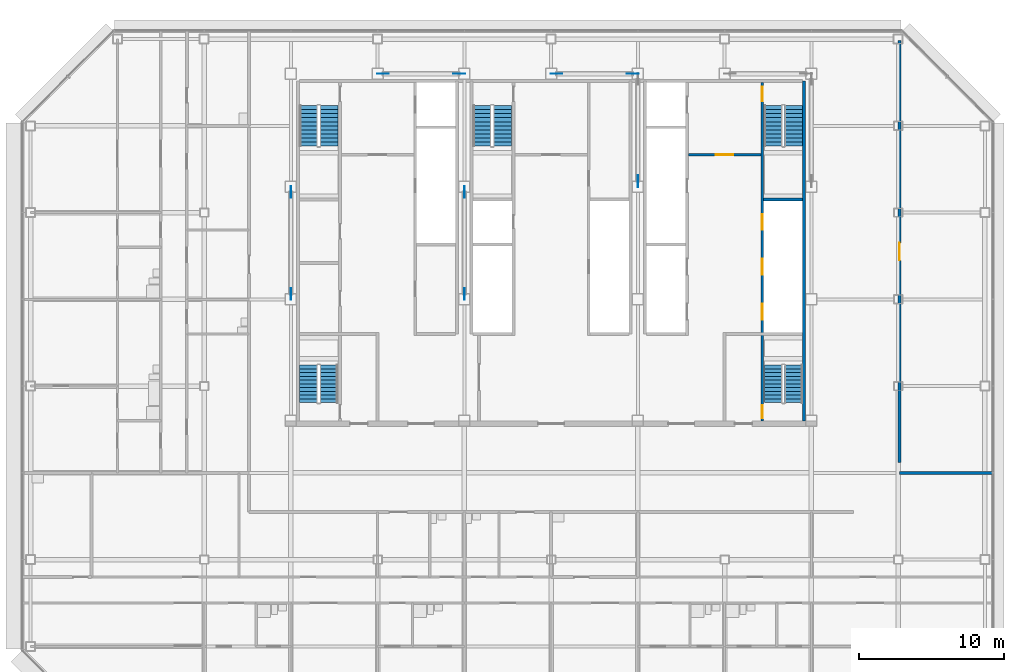
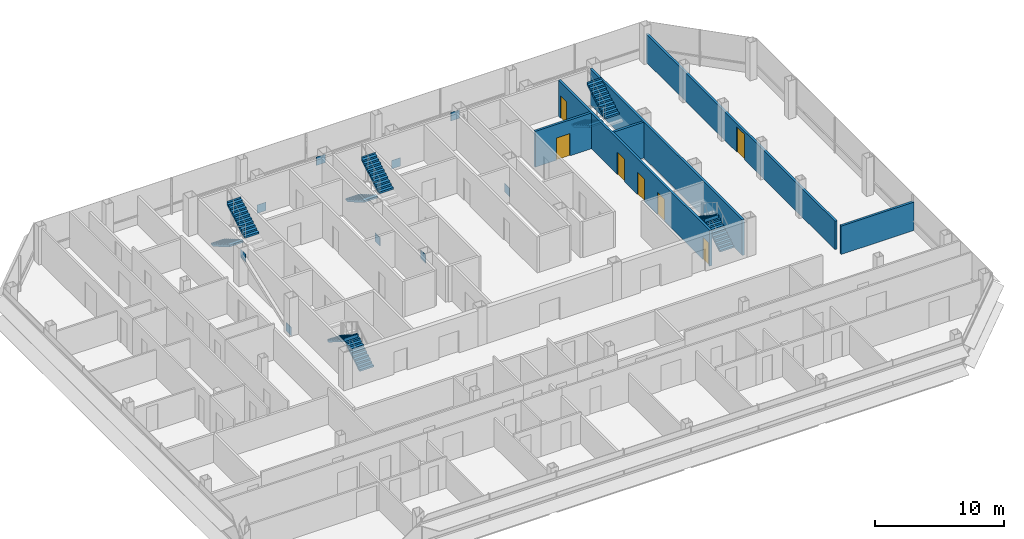
# One storey, part 24 of 27: 10 stair flights, 9 discrete accessories, 7 doors, 6 walls, 7 openings, 5 elements without a shape of their own.
"""IFC4 building model written with IfcOpenShell, lengths in metres."""

import ifcopenshell
import ifcopenshell.guid

model = None  # the IFC model being written
_history = None  # IfcOwnerHistory: only IFC2X3 demands one
_inside = {}  # id of a spatial element -> (the spatial element, [elements in it])
_under = {}  # id of a project, library or spatial element -> (it, [spatial elements below it])
_declared = {}  # id of a project -> (the project, [libraries it declares])
_typed = {}  # id of a type object -> (the type object, [elements of that type])
_made_of = {}  # id of a material, layer set ... -> (it, [elements and type objects made of it])


def new_model(schema):
    """Start an empty IFC model of exactly this schema.

    Asked for "IFC4X3", IfcOpenShell would pick the latest addendum, in which some entities
    have other attributes; the version numbers below select the first issue.
    IFC2X3 requires an IfcOwnerHistory on every rooted entity: one is made here for all.
    """
    global model, _history
    if schema == "IFC4X3":
        model = ifcopenshell.file(schema_version=(4, 3, 0, 0))
    else:
        model = ifcopenshell.file(schema=schema)
    _inside.clear()
    _under.clear()
    _declared.clear()
    _typed.clear()
    _made_of.clear()
    _history = None
    if model.schema == "IFC2X3":
        org = make("IfcOrganization", Name="unknown")
        user = make(
            "IfcPersonAndOrganization",
            ThePerson=make("IfcPerson", FamilyName="unknown"),
            TheOrganization=org,
        )
        app = make(
            "IfcApplication",
            ApplicationDeveloper=org,
            Version="unknown",
            ApplicationFullName="unknown",
            ApplicationIdentifier="unknown",
        )
        _history = make(
            "IfcOwnerHistory",
            OwningUser=user,
            OwningApplication=app,
            ChangeAction="ADDED",
            CreationDate=0,
        )
    return model


def make(cls, **values):
    """One entity of the class cls with the attributes given. An attribute that is None is left unset."""
    return model.create_entity(
        cls, **{name: value for name, value in values.items() if value is not None}
    )


def rooted(cls, **values):
    """An entity with a GlobalId (a new one), such as an element, a storey or a relation."""
    return make(cls, GlobalId=ifcopenshell.guid.new(), OwnerHistory=_history, **values)


def si_unit(unit_type, name, prefix=None):
    """IfcSIUnit, for example si_unit("LENGTHUNIT", "METRE", prefix="MILLI")."""
    return make("IfcSIUnit", UnitType=unit_type, Prefix=prefix, Name=name)


def assignment(units):
    """IfcUnitAssignment: the units of a project."""
    return None if units is None else make("IfcUnitAssignment", Units=units)


def point(xyz):
    """IfcCartesianPoint."""
    return None if xyz is None else make("IfcCartesianPoint", Coordinates=xyz)


def direction(xyz):
    """IfcDirection."""
    return None if xyz is None else make("IfcDirection", DirectionRatios=xyz)


def frame(location, z_axis=None, x_axis=None):
    """IfcAxis2Placement3D, a coordinate frame: its origin and axes. An axis left out is left unset."""
    return make(
        "IfcAxis2Placement3D",
        Location=point(location),
        Axis=direction(z_axis),
        RefDirection=direction(x_axis),
    )


def frame_2d(location, x_axis=None):
    """IfcAxis2Placement2D, a coordinate frame in the plane: its origin and x axis."""
    return make(
        "IfcAxis2Placement2D", Location=point(location), RefDirection=direction(x_axis)
    )


def origin():
    """The frame at (0, 0, 0) with its axes left unset."""
    return frame((0.0, 0.0, 0.0))


def origin_2d():
    """The frame at (0, 0) in the plane with its x axis left unset."""
    return frame_2d((0.0, 0.0))


def place(relative_to, where):
    """IfcLocalPlacement: puts the frame where relative to a parent placement (None: the world)."""
    return make(
        "IfcLocalPlacement", PlacementRelTo=relative_to, RelativePlacement=where
    )


def context(
    kind, dimensions, precision=None, world=None, true_north=None, identifier=None
):
    """IfcGeometricRepresentationContext, for example the 3D "Model" context."""
    return make(
        "IfcGeometricRepresentationContext",
        ContextIdentifier=identifier,
        ContextType=kind,
        CoordinateSpaceDimension=dimensions,
        Precision=precision,
        WorldCoordinateSystem=world,
        TrueNorth=true_north,
    )


def subcontext(parent, identifier, kind, view, scale=None):
    """IfcGeometricRepresentationSubContext, for example "Body" below "Model"."""
    return make(
        "IfcGeometricRepresentationSubContext",
        ContextIdentifier=identifier,
        ContextType=kind,
        ParentContext=parent,
        TargetScale=scale,
        TargetView=view,
    )


def project(units=None, contexts=None):
    """IfcProject with its units and contexts."""
    return rooted(
        "IfcProject",
        Name="project",
        RepresentationContexts=contexts,
        UnitsInContext=assignment(units),
    )


def spatial(cls, under=None, at=None, **own):
    """A site, building, storey or space (cls), placed at a placement, below another one or the project."""
    s = rooted(cls, ObjectPlacement=at, **own)
    if under is not None:
        _under.setdefault(under.id(), (under, []))[1].append(s)
    return s


def polyline(points):
    """IfcPolyline through the points."""
    return make("IfcPolyline", Points=[point(p) for p in points])


def profile(cls, at=None, kind="AREA", **sizes):
    """A parametric profile (cls). Its sizes go by their IFC names, for example OverallWidth=200.0."""
    return make(cls, ProfileType=kind, Position=at, **sizes)


def rectangle(**sizes):
    """IfcRectangleProfileDef."""
    return profile("IfcRectangleProfileDef", **sizes)


def outline(outer, holes=None, kind="AREA"):
    """IfcArbitraryClosedProfileDef: a profile drawn as a closed curve; with holes, ...WithVoids."""
    if holes is None:
        return make("IfcArbitraryClosedProfileDef", ProfileType=kind, OuterCurve=outer)
    return make(
        "IfcArbitraryProfileDefWithVoids",
        ProfileType=kind,
        OuterCurve=outer,
        InnerCurves=holes,
    )


def extrude(swept, where, along, depth):
    """IfcExtrudedAreaSolid: the profile swept, set in the frame where, extruded along a direction by depth."""
    return make(
        "IfcExtrudedAreaSolid",
        SweptArea=swept,
        Position=where,
        ExtrudedDirection=direction(along),
        Depth=depth,
    )


def shape(context_of_items, identifier, shape_type, items):
    """IfcShapeRepresentation: the items that make up one representation, for example the "Body"."""
    return make(
        "IfcShapeRepresentation",
        ContextOfItems=context_of_items,
        RepresentationIdentifier=identifier,
        RepresentationType=shape_type,
        Items=items,
    )


def material(Name=None, Category=None):
    """IfcMaterial."""
    return make("IfcMaterial", Name=Name, Category=Category)


def layer(
    of_material, thickness, ventilated=None, Name=None, Category=None, Priority=None
):
    """IfcMaterialLayer: one layer of a wall or slab, of a material (None: an air gap)."""
    return make(
        "IfcMaterialLayer",
        Material=of_material,
        LayerThickness=thickness,
        IsVentilated=ventilated,
        Name=Name,
        Category=Category,
        Priority=Priority,
    )


def layer_set(layers, Name=None):
    """IfcMaterialLayerSet."""
    return make("IfcMaterialLayerSet", MaterialLayers=layers, LayerSetName=Name)


def made_of(thing, what):
    """Note that an element or type object is made of a material, layer set ...; save() writes the relation."""
    if what is not None:
        _made_of.setdefault(what.id(), (what, []))[1].append(thing)
    return thing


def type_object(cls, material=None, **own):
    """A type object (cls), such as IfcWallType, which elements share."""
    return made_of(rooted(cls, **own), material)


def element(
    cls,
    number,
    at=None,
    inside=None,
    cuts=None,
    type_object=None,
    material=None,
    context=None,
    identifier="Body",
    shape_type=None,
    held_by="IfcProductDefinitionShape",
    body=None,
    shapes=None,
    **own,
):
    """One element of the class cls, such as IfcWall. Its Tag is "e" and its number.

    at: its placement. inside: the storey or other place that contains it. cuts: it is an
    opening in that element (IfcRelVoidsElement). A single representation is given by context,
    identifier, shape_type and body (its items); several are given by shapes. held_by: the class
    of the entity that holds the representations. save() writes the other relations.
    """
    e = rooted(cls, Tag="e%d" % number, ObjectPlacement=at, **own)
    if body is not None:
        shapes = [shape(context, identifier, shape_type, body)]
    if shapes is not None:
        e.Representation = make(held_by, Representations=shapes)
    if inside is not None:
        _inside.setdefault(inside.id(), (inside, []))[1].append(e)
    if cuts is not None:
        rooted(
            "IfcRelVoidsElement", RelatingBuildingElement=cuts, RelatedOpeningElement=e
        )
    if type_object is not None:
        _typed.setdefault(type_object.id(), (type_object, []))[1].append(e)
    return made_of(e, material)


def fill(opening, filler):
    """IfcRelFillsElement: the door or window that sits in an opening."""
    return rooted(
        "IfcRelFillsElement",
        RelatingOpeningElement=opening,
        RelatedBuildingElement=filler,
    )


def aggregate(whole, parts):
    """IfcRelAggregates: a whole, such as a stair, and the parts it consists of."""
    return rooted("IfcRelAggregates", RelatingObject=whole, RelatedObjects=parts)


def save(model, path):
    """Write the relations noted so far, then the file.

    IfcRelAggregates (storeys below a building ...), IfcRelContainedInSpatialStructure (elements
    in a storey), IfcRelDefinesByType, IfcRelAssociatesMaterial and IfcRelDeclares: one each for
    every whole, place, type object, material and project.
    """
    for whole, parts in _under.values():
        aggregate(whole, parts)
    for where, things in _inside.values():
        rooted(
            "IfcRelContainedInSpatialStructure",
            RelatedElements=things,
            RelatingStructure=where,
        )
    for kind, things in _typed.values():
        rooted("IfcRelDefinesByType", RelatedObjects=things, RelatingType=kind)
    for what, things in _made_of.values():
        rooted("IfcRelAssociatesMaterial", RelatedObjects=things, RelatingMaterial=what)
    for by, libraries in _declared.values():
        rooted("IfcRelDeclares", RelatingContext=by, RelatedDefinitions=libraries)
    model.write(path)


model = new_model("IFC4")

# Units and contexts
model_context = context("Model", 3, precision=1e-05, world=origin(), true_north=direction((0.0, 1.0)))
body_context = subcontext(model_context, "Body", "Model", "MODEL_VIEW")
ifc_project = project(units=[si_unit("LENGTHUNIT", "METRE"), si_unit("AREAUNIT", "SQUARE_METRE"), si_unit("VOLUMEUNIT", "CUBIC_METRE"), si_unit("PLANEANGLEUNIT", "RADIAN"), si_unit("MASSUNIT", "GRAM", prefix="KILO")], contexts=[model_context])

# Site, building, storey
site_placement = place(None, origin())
site = spatial("IfcSite", under=ifc_project, at=site_placement, CompositionType="ELEMENT")
building_placement = place(site_placement, origin())
building = spatial("IfcBuilding", under=site, at=building_placement, Name="Sorahane Residences", CompositionType="ELEMENT")
storey_placement = place(building_placement, frame((0.0, 0.0, 206.39990234375)))
storey = spatial("IfcBuildingStorey", under=building, at=storey_placement, Name="L48", CompositionType="ELEMENT", Elevation=206.39990234375)

# Wall
ifc_material_1 = material(Name="Concrete C30", Category="concrete")
ifc_layer_1 = layer(ifc_material_1, 0.199951171875)
ifc_layer_set_1 = layer_set([ifc_layer_1], Name="Core face wall 200 EI 180")
wall_type_1 = type_object("IfcWallType", Name="Core face wall 200 EI 180", PredefinedType="SOLIDWALL", material=ifc_layer_set_1)
wall_1_placement = place(storey_placement, frame((41.5, 21.60009765625, 0.0), z_axis=(0.0, 0.0, 1.0), x_axis=(0.0, 1.0, 0.0)))
element("IfcWall", 1, at=wall_1_placement, inside=storey, type_object=wall_type_1, Name="L48 core face wall", PredefinedType="SOLIDWALL", context=body_context, shape_type="SweptSolid", body=[
    extrude(rectangle(XDim=23.5, YDim=0.199951171875, at=frame_2d((11.75, 0.0))), origin(), (0.0, 0.0, 1.0), 3.380126953125),
])

# Wall, opening, door
ifc_material_2 = material(Name="Concrete blockwork C20 wall", Category="masonry")
ifc_layer_2 = layer(ifc_material_2, 0.199951171875)
ifc_layer_set_2 = layer_set([ifc_layer_2], Name="Corridor wall 200 EI 120")
wall_type_2 = type_object("IfcWallType", Name="Corridor wall 200 EI 120", PredefinedType="SOLIDWALL", material=ifc_layer_set_2)
wall_2_placement = place(storey_placement, frame((48.10009765625, 18.699951171875, 0.0), z_axis=(0.0, 0.0, 1.0), x_axis=(0.0, 1.0, 0.0)))
wall_2 = element("IfcWall", 2, at=wall_2_placement, inside=storey, type_object=wall_type_2, Name="L48 corridor wall", PredefinedType="SOLIDWALL", context=body_context, shape_type="SweptSolid", body=[
    extrude(rectangle(XDim=29.199951171875, YDim=0.199951171875, at=frame_2d((14.60009765625, 0.0))), origin(), (0.0, 0.0, 1.0), 2.68017578125),
])
opening_1_placement = place(wall_2_placement, frame((14.0, 0.0, 0.0)))
opening_1 = element("IfcOpeningElement", 3, at=opening_1_placement, cuts=wall_2, Name="Opening L48-47", PredefinedType="OPENING", context=body_context, shape_type="SweptSolid", body=[
    extrude(rectangle(XDim=1.199951171875, YDim=2.39990234375, at=frame_2d((0.60009765625, 1.199951171875))), frame((0.0, 0.10986328125, 0.0), z_axis=(0.0, -1.0, 0.0), x_axis=(1.0, 0.0, 0.0)), (0.0, 0.0, 1.0), 0.219970703125),
])
ifc_material_3 = material(Name="Steel", Category="steel")
door_type_1 = type_object("IfcDoorType", Name="Lobby door 1200x2400 FD60", OperationType="NOTDEFINED", PredefinedType="DOOR", material=ifc_material_3)
door_1_placement = place(opening_1_placement, frame((1.199951171875, 0.0, 0.0), z_axis=(0.0, 0.0, 1.0), x_axis=(-1.0, 0.0, 0.0)))
door_1 = element("IfcDoor", 4, at=door_1_placement, inside=storey, type_object=door_type_1, Name="Lobby door L48-47", OperationType="SINGLE_SWING_LEFT", OverallHeight=2.39990234375, OverallWidth=1.199951171875, PredefinedType="DOOR", context=body_context, shape_type="SweptSolid", body=[
    extrude(rectangle(XDim=1.199951171875, YDim=2.39990234375, at=frame_2d((0.60009765625, 1.199951171875))), frame((0.0, 0.02490234375, 0.0), z_axis=(0.0, -1.0, 0.0), x_axis=(1.0, 0.0, 0.0)), (0.0, 0.0, 1.0), 0.050048828125),
])
fill(opening_1, door_1)

# Wall
wall_3_placement = place(storey_placement, frame((48.10009765625, 18.0, 0.0), z_axis=(0.0, 0.0, 1.0), x_axis=(1.0, 0.0, 0.0)))
element("IfcWall", 5, at=wall_3_placement, inside=storey, type_object=wall_type_2, Name="L48 corridor wall", PredefinedType="SOLIDWALL", context=body_context, shape_type="SweptSolid", body=[
    extrude(rectangle(XDim=6.5, YDim=0.199951171875, at=frame_2d((3.25, 0.0))), origin(), (0.0, 0.0, 1.0), 2.68017578125),
])

# Wall, opening, door
ifc_material_4 = material(Name="Concrete C30", Category="concrete")
ifc_layer_3 = layer(ifc_material_4, 0.199951171875)
ifc_layer_set_3 = layer_set([ifc_layer_3], Name="Front room wall 200 EI 120")
wall_type_3 = type_object("IfcWallType", Name="Front room wall 200 EI 120", PredefinedType="PARTITIONING", material=ifc_layer_set_3)
wall_4_placement = place(storey_placement, frame((33.5, 40.0, 0.0), z_axis=(0.0, 0.0, 1.0), x_axis=(1.0, 0.0, 0.0)))
wall_4 = element("IfcWall", 6, at=wall_4_placement, inside=storey, type_object=wall_type_3, Name="L48 front room wall", PredefinedType="PARTITIONING", context=body_context, shape_type="SweptSolid", body=[
    extrude(rectangle(XDim=5.0, YDim=0.199951171875, at=frame_2d((2.5, 0.0))), origin(), (0.0, 0.0, 1.0), 3.380126953125),
])
opening_2_placement = place(wall_4_placement, frame((1.89990234375, 0.0, 0.0)))
opening_2 = element("IfcOpeningElement", 7, at=opening_2_placement, cuts=wall_4, Name="Opening L48-C09", PredefinedType="OPENING", context=body_context, shape_type="SweptSolid", body=[
    extrude(rectangle(XDim=1.199951171875, YDim=2.10009765625, at=frame_2d((0.60009765625, 1.050048828125))), frame((0.0, 0.10986328125, 0.0), z_axis=(0.0, -1.0, 0.0), x_axis=(1.0, 0.0, 0.0)), (0.0, 0.0, 1.0), 0.219970703125),
])
ifc_material_5 = material(Name="Steel", Category="steel")
door_type_2 = type_object("IfcDoorType", Name="Front room door 1200x2100 FD120", OperationType="NOTDEFINED", PredefinedType="DOOR", material=ifc_material_5)
door_2_placement = place(opening_2_placement, frame((1.199951171875, 0.0, 0.0), z_axis=(0.0, 0.0, 1.0), x_axis=(-1.0, 0.0, 0.0)))
door_2 = element("IfcDoor", 8, at=door_2_placement, inside=storey, type_object=door_type_2, Name="Front room door Firefighting lobby FF2 front room L48", OperationType="DOUBLE_DOOR_SINGLE_SWING", OverallHeight=2.10009765625, OverallWidth=1.199951171875, PredefinedType="DOOR", context=body_context, shape_type="SweptSolid", body=[
    extrude(rectangle(XDim=1.199951171875, YDim=2.10009765625, at=frame_2d((0.60009765625, 1.050048828125))), frame((0.0, 0.02490234375, 0.0), z_axis=(0.0, -1.0, 0.0), x_axis=(1.0, 0.0, 0.0)), (0.0, 0.0, 1.0), 0.050048828125),
])
fill(opening_2, door_2)

# Wall, openings, doors
ifc_material_6 = material(Name="Concrete C30", Category="concrete")
ifc_layer_4 = layer(ifc_material_6, 0.199951171875)
ifc_layer_set_4 = layer_set([ifc_layer_4], Name="Stair enclosure wall 200 EI 120")
wall_type_4 = type_object("IfcWallType", Name="Stair enclosure wall 200 EI 120", PredefinedType="SOLIDWALL", material=ifc_layer_set_4)
wall_5_placement = place(storey_placement, frame((38.60009765625, 21.60009765625, 0.0), z_axis=(0.0, 0.0, 1.0), x_axis=(0.0, 1.0, 0.0)))
wall_5 = element("IfcWall", 9, at=wall_5_placement, inside=storey, type_object=wall_type_4, Name="L48 stair enclosure wall", PredefinedType="SOLIDWALL", context=body_context, shape_type="SweptSolid", body=[
    extrude(rectangle(XDim=23.39990234375, YDim=0.199951171875, at=frame_2d((11.699951171875, 0.0))), origin(), (0.0, 0.0, 1.0), 3.380126953125),
])
opening_3_placement = place(wall_5_placement, frame((7.0, 0.0, 0.0)))
opening_3 = element("IfcOpeningElement", 10, at=opening_3_placement, cuts=wall_5, Name="Opening L48-C10", PredefinedType="OPENING", context=body_context, shape_type="SweptSolid", body=[
    extrude(rectangle(XDim=1.10009765625, YDim=2.10009765625, at=frame_2d((0.550048828125, 1.050048828125))), frame((0.0, 0.10986328125, 0.0), z_axis=(0.0, -1.0, 0.0), x_axis=(1.0, 0.0, 0.0)), (0.0, 0.0, 1.0), 0.219970703125),
])
opening_4_placement = place(wall_5_placement, frame((10.10009765625, 0.0, 0.0)))
opening_4 = element("IfcOpeningElement", 11, at=opening_4_placement, cuts=wall_5, Name="Opening L48-C11", PredefinedType="OPENING", context=body_context, shape_type="SweptSolid", body=[
    extrude(rectangle(XDim=1.10009765625, YDim=2.10009765625, at=frame_2d((0.550048828125, 1.050048828125))), frame((0.0, 0.10986328125, 0.0), z_axis=(0.0, -1.0, 0.0), x_axis=(1.0, 0.0, 0.0)), (0.0, 0.0, 1.0), 0.219970703125),
])
opening_5_placement = place(wall_5_placement, frame((13.199951171875, 0.0, 0.0)))
opening_5 = element("IfcOpeningElement", 12, at=opening_5_placement, cuts=wall_5, Name="Opening L48-C12", PredefinedType="OPENING", context=body_context, shape_type="SweptSolid", body=[
    extrude(rectangle(XDim=1.10009765625, YDim=2.10009765625, at=frame_2d((0.550048828125, 1.050048828125))), frame((0.0, 0.10986328125, 0.0), z_axis=(0.0, -1.0, 0.0), x_axis=(1.0, 0.0, 0.0)), (0.0, 0.0, 1.0), 0.219970703125),
])
opening_6_placement = place(wall_5_placement, frame((22.10009765625, 0.0, 0.0)))
opening_6 = element("IfcOpeningElement", 13, at=opening_6_placement, cuts=wall_5, Name="Opening L48-C21", PredefinedType="OPENING", context=body_context, shape_type="SweptSolid", body=[
    extrude(rectangle(XDim=1.0, YDim=2.10009765625, at=frame_2d((0.5, 1.050048828125))), frame((0.0, 0.10986328125, 0.0), z_axis=(0.0, -1.0, 0.0), x_axis=(1.0, 0.0, 0.0)), (0.0, 0.0, 1.0), 0.219970703125),
])
opening_7_placement = place(wall_5_placement, frame((0.175048828125, 0.0, 0.0)))
opening_7 = element("IfcOpeningElement", 14, at=opening_7_placement, cuts=wall_5, Name="Opening L48-C24", PredefinedType="OPENING", context=body_context, shape_type="SweptSolid", body=[
    extrude(rectangle(XDim=0.89990234375, YDim=2.10009765625, at=frame_2d((0.449951171875, 1.050048828125))), frame((0.0, 0.10986328125, 0.0), z_axis=(0.0, -1.0, 0.0), x_axis=(1.0, 0.0, 0.0)), (0.0, 0.0, 1.0), 0.219970703125),
])
ifc_material_7 = material(Name="Aluminium and stainless steel", Category="steel")
door_type_3 = type_object("IfcDoorType", Name="Lift landing door 1100x2100 E 60", OperationType="NOTDEFINED", PredefinedType="DOOR", material=ifc_material_7)
door_3_placement = place(opening_3_placement, origin())
door_3 = element("IfcDoor", 15, at=door_3_placement, inside=storey, type_object=door_type_3, Name="Lift landing door HR1 L48", OperationType="DOUBLE_DOOR_SLIDING", OverallHeight=2.10009765625, OverallWidth=1.10009765625, PredefinedType="DOOR", context=body_context, shape_type="SweptSolid", body=[
    extrude(rectangle(XDim=1.10009765625, YDim=2.10009765625, at=frame_2d((0.550048828125, 1.050048828125))), frame((0.0, 0.02490234375, 0.0), z_axis=(0.0, -1.0, 0.0), x_axis=(1.0, 0.0, 0.0)), (0.0, 0.0, 1.0), 0.050048828125),
])
fill(opening_3, door_3)
door_4_placement = place(opening_4_placement, origin())
door_4 = element("IfcDoor", 16, at=door_4_placement, inside=storey, type_object=door_type_3, Name="Lift landing door HR2 L48", OperationType="DOUBLE_DOOR_SLIDING", OverallHeight=2.10009765625, OverallWidth=1.10009765625, PredefinedType="DOOR", context=body_context, shape_type="SweptSolid", body=[
    extrude(rectangle(XDim=1.10009765625, YDim=2.10009765625, at=frame_2d((0.550048828125, 1.050048828125))), frame((0.0, 0.02490234375, 0.0), z_axis=(0.0, -1.0, 0.0), x_axis=(1.0, 0.0, 0.0)), (0.0, 0.0, 1.0), 0.050048828125),
])
fill(opening_4, door_4)
door_5_placement = place(opening_5_placement, origin())
door_5 = element("IfcDoor", 17, at=door_5_placement, inside=storey, type_object=door_type_3, Name="Lift landing door HR3 L48", OperationType="DOUBLE_DOOR_SLIDING", OverallHeight=2.10009765625, OverallWidth=1.10009765625, PredefinedType="DOOR", context=body_context, shape_type="SweptSolid", body=[
    extrude(rectangle(XDim=1.10009765625, YDim=2.10009765625, at=frame_2d((0.550048828125, 1.050048828125))), frame((0.0, 0.02490234375, 0.0), z_axis=(0.0, -1.0, 0.0), x_axis=(1.0, 0.0, 0.0)), (0.0, 0.0, 1.0), 0.050048828125),
])
fill(opening_5, door_5)
ifc_material_8 = material(Name="Steel", Category="steel")
door_type_4 = type_object("IfcDoorType", Name="Stair door 1000x2100 FD120", OperationType="NOTDEFINED", PredefinedType="DOOR", material=ifc_material_8)
door_6_placement = place(opening_6_placement, frame((1.0, 0.0, 0.0), z_axis=(0.0, 0.0, 1.0), x_axis=(-1.0, 0.0, 0.0)))
door_6 = element("IfcDoor", 18, at=door_6_placement, inside=storey, type_object=door_type_4, Name="Stair door S2 L48", OperationType="SINGLE_SWING_LEFT", OverallHeight=2.10009765625, OverallWidth=1.0, PredefinedType="DOOR", context=body_context, shape_type="SweptSolid", body=[
    extrude(rectangle(XDim=1.0, YDim=2.10009765625, at=frame_2d((0.5, 1.050048828125))), frame((0.0, 0.02490234375, 0.0), z_axis=(0.0, -1.0, 0.0), x_axis=(1.0, 0.0, 0.0)), (0.0, 0.0, 1.0), 0.050048828125),
])
fill(opening_6, door_6)
ifc_material_9 = material(Name="Steel", Category="steel")
door_type_5 = type_object("IfcDoorType", Name="Stair door 900x2100 FD120", OperationType="NOTDEFINED", PredefinedType="DOOR", material=ifc_material_9)
door_7_placement = place(opening_7_placement, frame((0.89990234375, 0.0, 0.0), z_axis=(0.0, 0.0, 1.0), x_axis=(-1.0, 0.0, 0.0)))
door_7 = element("IfcDoor", 19, at=door_7_placement, inside=storey, type_object=door_type_5, Name="Stair door S5 L48", OperationType="SINGLE_SWING_LEFT", OverallHeight=2.10009765625, OverallWidth=0.89990234375, PredefinedType="DOOR", context=body_context, shape_type="SweptSolid", body=[
    extrude(rectangle(XDim=0.89990234375, YDim=2.10009765625, at=frame_2d((0.449951171875, 1.050048828125))), frame((0.0, 0.02490234375, 0.0), z_axis=(0.0, -1.0, 0.0), x_axis=(1.0, 0.0, 0.0)), (0.0, 0.0, 1.0), 0.050048828125),
])
fill(opening_7, door_7)

# Wall
wall_6_placement = place(storey_placement, frame((38.699951171875, 36.89990234375, 0.0), z_axis=(0.0, 0.0, 1.0), x_axis=(1.0, 0.0, 0.0)))
element("IfcWall", 20, at=wall_6_placement, inside=storey, type_object=wall_type_4, Name="L48 stair enclosure wall", PredefinedType="SOLIDWALL", context=body_context, shape_type="SweptSolid", body=[
    extrude(rectangle(XDim=2.699951171875, YDim=0.199951171875, at=frame_2d((1.35009765625, 0.0))), origin(), (0.0, 0.0, 1.0), 3.380126953125),
])

# Stair, stair flights
ifc_material_10 = material(Name="Concrete C40", Category="concrete")
stair_type = type_object("IfcStairType", Name="Dog-leg stair 1250 Concrete C40", PredefinedType="HALF_TURN_STAIR", material=ifc_material_10)
stair_1_placement = place(storey_placement, origin())
stair_1 = element("IfcStair", 21, at=stair_1_placement, inside=storey, type_object=stair_type, Name="L48 Stair S1", PredefinedType="HALF_TURN_STAIR")
ifc_material_11 = material(Name="Concrete C40", Category="concrete")
stair_flight_type = type_object("IfcStairFlightType", Name="Stair flight 1250 Concrete C40", PredefinedType="STRAIGHT", material=ifc_material_11)
stair_flight_1_placement = place(storey_placement, frame((7.22509765625, 43.39990234375, 0.0), z_axis=(0.0, 0.0, 1.0), x_axis=(0.0, -1.0, 0.0)))
stair_flight_1 = element("IfcStairFlight", 22, at=stair_flight_1_placement, type_object=stair_flight_type, Name="S1 flight 1", NumberOfRisers=11, NumberOfTreads=10, PredefinedType="STRAIGHT", RiserHeight=0.163636364, TreadLength=0.28, context=body_context, shape_type="SweptSolid", body=[
    extrude(outline(polyline([(-0.00146484375, 0.0), (-0.00146484375, 0.16357421875), (0.0, 0.16357421875), (0.280029296875, 0.16357421875), (0.280029296875, 0.327392578125), (0.56005859375, 0.327392578125), (0.56005859375, 0.490966796875), (0.840087890625, 0.490966796875), (0.840087890625, 0.654541015625), (1.1201171875, 0.654541015625), (1.1201171875, 0.818115234375), (1.39990234375, 0.818115234375), (1.39990234375, 0.98193359375), (1.679931640625, 0.98193359375), (1.679931640625, 1.1455078125), (1.9599609375, 1.1455078125), (1.9599609375, 1.30908203125), (2.239990234375, 1.30908203125), (2.239990234375, 1.47265625), (2.52001953125, 1.47265625), (2.52001953125, 1.636474609375), (2.800048828125, 1.636474609375), (2.800048828125, 1.800048828125), (2.800048828125, 1.462646484375), (2.59130859375, 1.3408203125), (2.3828125, 1.218994140625), (2.17431640625, 1.09716796875), (1.965576171875, 0.97509765625), (1.757080078125, 0.853271484375), (1.548583984375, 0.7314453125), (1.340087890625, 0.609375), (1.13134765625, 0.487548828125), (0.9228515625, 0.36572265625), (0.71435546875, 0.243896484375), (0.505615234375, 0.121826171875), (0.297119140625, 0.0), (-0.00146484375, 0.0)])), frame((0.0, 0.625, 0.0), z_axis=(0.0, -1.0, 0.0), x_axis=(1.0, 0.0, 0.0)), (0.0, 0.0, 1.0), 1.25),
])
stair_flight_2_placement = place(storey_placement, frame((8.625, 40.60009765625, 1.800048828125), z_axis=(0.0, 0.0, 1.0), x_axis=(0.0, 1.0, 0.0)))
stair_flight_2 = element("IfcStairFlight", 23, at=stair_flight_2_placement, type_object=stair_flight_type, Name="S1 flight 2", NumberOfRisers=11, NumberOfTreads=10, PredefinedType="STRAIGHT", RiserHeight=0.163636364, TreadLength=0.28, context=body_context, shape_type="SweptSolid", body=[
    extrude(outline(polyline([(0.0, 0.0), (0.0, 0.16357421875), (0.280029296875, 0.16357421875), (0.280029296875, 0.327392578125), (0.56005859375, 0.327392578125), (0.56005859375, 0.490966796875), (0.840087890625, 0.490966796875), (0.840087890625, 0.654541015625), (1.1201171875, 0.654541015625), (1.1201171875, 0.818115234375), (1.39990234375, 0.818115234375), (1.39990234375, 0.98193359375), (1.679931640625, 0.98193359375), (1.679931640625, 1.1455078125), (1.9599609375, 1.1455078125), (1.9599609375, 1.30908203125), (2.239990234375, 1.30908203125), (2.239990234375, 1.47265625), (2.52001953125, 1.47265625), (2.52001953125, 1.636474609375), (2.800048828125, 1.636474609375), (2.800048828125, 1.800048828125), (2.801513671875, 1.800048828125), (2.801513671875, 1.462646484375), (2.5927734375, 1.3408203125), (2.384033203125, 1.218994140625), (2.17529296875, 1.09716796875), (1.966796875, 0.97509765625), (1.758056640625, 0.853271484375), (1.54931640625, 0.7314453125), (1.340576171875, 0.609375), (1.1318359375, 0.487548828125), (0.923095703125, 0.36572265625), (0.714599609375, 0.243896484375), (0.505859375, 0.121826171875), (0.297119140625, 0.0), (0.0, 0.0)])), frame((0.0, 0.625, 0.0), z_axis=(0.0, -1.0, 0.0), x_axis=(1.0, 0.0, 0.0)), (0.0, 0.0, 1.0), 1.25),
])
aggregate(stair_1, [stair_flight_1, stair_flight_2])

stair_2_placement = place(storey_placement, origin())
stair_2 = element("IfcStair", 24, at=stair_2_placement, inside=storey, type_object=stair_type, Name="L48 Stair S2", PredefinedType="HALF_TURN_STAIR")
stair_flight_3_placement = place(storey_placement, frame((39.375, 43.39990234375, 0.0), z_axis=(0.0, 0.0, 1.0), x_axis=(0.0, -1.0, 0.0)))
stair_flight_3 = element("IfcStairFlight", 25, at=stair_flight_3_placement, type_object=stair_flight_type, Name="S2 flight 1", NumberOfRisers=11, NumberOfTreads=10, PredefinedType="STRAIGHT", RiserHeight=0.163636364, TreadLength=0.28, context=body_context, shape_type="SweptSolid", body=[
    extrude(outline(polyline([(-0.00146484375, 0.0), (-0.00146484375, 0.16357421875), (0.0, 0.16357421875), (0.280029296875, 0.16357421875), (0.280029296875, 0.327392578125), (0.56005859375, 0.327392578125), (0.56005859375, 0.490966796875), (0.840087890625, 0.490966796875), (0.840087890625, 0.654541015625), (1.1201171875, 0.654541015625), (1.1201171875, 0.818115234375), (1.39990234375, 0.818115234375), (1.39990234375, 0.98193359375), (1.679931640625, 0.98193359375), (1.679931640625, 1.1455078125), (1.9599609375, 1.1455078125), (1.9599609375, 1.30908203125), (2.239990234375, 1.30908203125), (2.239990234375, 1.47265625), (2.52001953125, 1.47265625), (2.52001953125, 1.636474609375), (2.800048828125, 1.636474609375), (2.800048828125, 1.800048828125), (2.800048828125, 1.462646484375), (2.59130859375, 1.3408203125), (2.3828125, 1.218994140625), (2.17431640625, 1.09716796875), (1.965576171875, 0.97509765625), (1.757080078125, 0.853271484375), (1.548583984375, 0.7314453125), (1.340087890625, 0.609375), (1.13134765625, 0.487548828125), (0.9228515625, 0.36572265625), (0.71435546875, 0.243896484375), (0.505615234375, 0.121826171875), (0.297119140625, 0.0), (-0.00146484375, 0.0)])), frame((0.0, 0.625, 0.0), z_axis=(0.0, -1.0, 0.0), x_axis=(1.0, 0.0, 0.0)), (0.0, 0.0, 1.0), 1.25),
])
stair_flight_4_placement = place(storey_placement, frame((40.77490234375, 40.60009765625, 1.800048828125), z_axis=(0.0, 0.0, 1.0), x_axis=(0.0, 1.0, 0.0)))
stair_flight_4 = element("IfcStairFlight", 26, at=stair_flight_4_placement, type_object=stair_flight_type, Name="S2 flight 2", NumberOfRisers=11, NumberOfTreads=10, PredefinedType="STRAIGHT", RiserHeight=0.163636364, TreadLength=0.28, context=body_context, shape_type="SweptSolid", body=[
    extrude(outline(polyline([(0.0, 0.0), (0.0, 0.16357421875), (0.280029296875, 0.16357421875), (0.280029296875, 0.327392578125), (0.56005859375, 0.327392578125), (0.56005859375, 0.490966796875), (0.840087890625, 0.490966796875), (0.840087890625, 0.654541015625), (1.1201171875, 0.654541015625), (1.1201171875, 0.818115234375), (1.39990234375, 0.818115234375), (1.39990234375, 0.98193359375), (1.679931640625, 0.98193359375), (1.679931640625, 1.1455078125), (1.9599609375, 1.1455078125), (1.9599609375, 1.30908203125), (2.239990234375, 1.30908203125), (2.239990234375, 1.47265625), (2.52001953125, 1.47265625), (2.52001953125, 1.636474609375), (2.800048828125, 1.636474609375), (2.800048828125, 1.800048828125), (2.801513671875, 1.800048828125), (2.801513671875, 1.462646484375), (2.5927734375, 1.3408203125), (2.384033203125, 1.218994140625), (2.17529296875, 1.09716796875), (1.966796875, 0.97509765625), (1.758056640625, 0.853271484375), (1.54931640625, 0.7314453125), (1.340576171875, 0.609375), (1.1318359375, 0.487548828125), (0.923095703125, 0.36572265625), (0.714599609375, 0.243896484375), (0.505859375, 0.121826171875), (0.297119140625, 0.0), (0.0, 0.0)])), frame((0.0, 0.625, 0.0), z_axis=(0.0, -1.0, 0.0), x_axis=(1.0, 0.0, 0.0)), (0.0, 0.0, 1.0), 1.25),
])
aggregate(stair_2, [stair_flight_3, stair_flight_4])

stair_3_placement = place(storey_placement, origin())
stair_3 = element("IfcStair", 27, at=stair_3_placement, inside=storey, type_object=stair_type, Name="L48 Stair S3", PredefinedType="HALF_TURN_STAIR")
stair_flight_5_placement = place(storey_placement, frame((19.22509765625, 43.39990234375, 0.0), z_axis=(0.0, 0.0, 1.0), x_axis=(0.0, -1.0, 0.0)))
stair_flight_5 = element("IfcStairFlight", 28, at=stair_flight_5_placement, type_object=stair_flight_type, Name="S3 flight 1", NumberOfRisers=11, NumberOfTreads=10, PredefinedType="STRAIGHT", RiserHeight=0.163636364, TreadLength=0.28, context=body_context, shape_type="SweptSolid", body=[
    extrude(outline(polyline([(-0.00146484375, 0.0), (-0.00146484375, 0.16357421875), (0.0, 0.16357421875), (0.280029296875, 0.16357421875), (0.280029296875, 0.327392578125), (0.56005859375, 0.327392578125), (0.56005859375, 0.490966796875), (0.840087890625, 0.490966796875), (0.840087890625, 0.654541015625), (1.1201171875, 0.654541015625), (1.1201171875, 0.818115234375), (1.39990234375, 0.818115234375), (1.39990234375, 0.98193359375), (1.679931640625, 0.98193359375), (1.679931640625, 1.1455078125), (1.9599609375, 1.1455078125), (1.9599609375, 1.30908203125), (2.239990234375, 1.30908203125), (2.239990234375, 1.47265625), (2.52001953125, 1.47265625), (2.52001953125, 1.636474609375), (2.800048828125, 1.636474609375), (2.800048828125, 1.800048828125), (2.800048828125, 1.462646484375), (2.59130859375, 1.3408203125), (2.3828125, 1.218994140625), (2.17431640625, 1.09716796875), (1.965576171875, 0.97509765625), (1.757080078125, 0.853271484375), (1.548583984375, 0.7314453125), (1.340087890625, 0.609375), (1.13134765625, 0.487548828125), (0.9228515625, 0.36572265625), (0.71435546875, 0.243896484375), (0.505615234375, 0.121826171875), (0.297119140625, 0.0), (-0.00146484375, 0.0)])), frame((0.0, 0.625, 0.0), z_axis=(0.0, -1.0, 0.0), x_axis=(1.0, 0.0, 0.0)), (0.0, 0.0, 1.0), 1.25),
])
stair_flight_6_placement = place(storey_placement, frame((20.625, 40.60009765625, 1.800048828125), z_axis=(0.0, 0.0, 1.0), x_axis=(0.0, 1.0, 0.0)))
stair_flight_6 = element("IfcStairFlight", 29, at=stair_flight_6_placement, type_object=stair_flight_type, Name="S3 flight 2", NumberOfRisers=11, NumberOfTreads=10, PredefinedType="STRAIGHT", RiserHeight=0.163636364, TreadLength=0.28, context=body_context, shape_type="SweptSolid", body=[
    extrude(outline(polyline([(0.0, 0.0), (0.0, 0.16357421875), (0.280029296875, 0.16357421875), (0.280029296875, 0.327392578125), (0.56005859375, 0.327392578125), (0.56005859375, 0.490966796875), (0.840087890625, 0.490966796875), (0.840087890625, 0.654541015625), (1.1201171875, 0.654541015625), (1.1201171875, 0.818115234375), (1.39990234375, 0.818115234375), (1.39990234375, 0.98193359375), (1.679931640625, 0.98193359375), (1.679931640625, 1.1455078125), (1.9599609375, 1.1455078125), (1.9599609375, 1.30908203125), (2.239990234375, 1.30908203125), (2.239990234375, 1.47265625), (2.52001953125, 1.47265625), (2.52001953125, 1.636474609375), (2.800048828125, 1.636474609375), (2.800048828125, 1.800048828125), (2.801513671875, 1.800048828125), (2.801513671875, 1.462646484375), (2.5927734375, 1.3408203125), (2.384033203125, 1.218994140625), (2.17529296875, 1.09716796875), (1.966796875, 0.97509765625), (1.758056640625, 0.853271484375), (1.54931640625, 0.7314453125), (1.340576171875, 0.609375), (1.1318359375, 0.487548828125), (0.923095703125, 0.36572265625), (0.714599609375, 0.243896484375), (0.505859375, 0.121826171875), (0.297119140625, 0.0), (0.0, 0.0)])), frame((0.0, 0.625, 0.0), z_axis=(0.0, -1.0, 0.0), x_axis=(1.0, 0.0, 0.0)), (0.0, 0.0, 1.0), 1.25),
])
aggregate(stair_3, [stair_flight_5, stair_flight_6])

stair_4_placement = place(storey_placement, origin())
stair_4 = element("IfcStair", 30, at=stair_4_placement, inside=storey, type_object=stair_type, Name="L48 Stair S4", PredefinedType="HALF_TURN_STAIR")
stair_flight_7_placement = place(storey_placement, frame((8.625, 22.85009765625, 0.0), z_axis=(0.0, 0.0, 1.0), x_axis=(0.0, 1.0, 0.0)))
stair_flight_7 = element("IfcStairFlight", 31, at=stair_flight_7_placement, type_object=stair_flight_type, Name="S4 flight 1", NumberOfRisers=11, NumberOfTreads=10, PredefinedType="STRAIGHT", RiserHeight=0.163636364, TreadLength=0.26, context=body_context, shape_type="SweptSolid", body=[
    extrude(outline(polyline([(-0.00146484375, 0.0), (-0.00146484375, 0.16357421875), (0.0, 0.16357421875), (0.260009765625, 0.16357421875), (0.260009765625, 0.327392578125), (0.52001953125, 0.327392578125), (0.52001953125, 0.490966796875), (0.780029296875, 0.490966796875), (0.780029296875, 0.654541015625), (1.0400390625, 0.654541015625), (1.0400390625, 0.818115234375), (1.300048828125, 0.818115234375), (1.300048828125, 0.98193359375), (1.56005859375, 0.98193359375), (1.56005859375, 1.1455078125), (1.820068359375, 1.1455078125), (1.820068359375, 1.30908203125), (2.080078125, 1.30908203125), (2.080078125, 1.47265625), (2.340087890625, 1.47265625), (2.340087890625, 1.636474609375), (2.60009765625, 1.636474609375), (2.60009765625, 1.800048828125), (2.60009765625, 1.494384765625), (2.402099609375, 1.369873046875), (2.204345703125, 1.245361328125), (2.00634765625, 1.120849609375), (1.80859375, 0.996337890625), (1.610595703125, 0.871826171875), (1.412841796875, 0.747314453125), (1.21484375, 0.622802734375), (1.01708984375, 0.498046875), (0.819091796875, 0.37353515625), (0.621337890625, 0.2490234375), (0.42333984375, 0.12451171875), (0.2255859375, 0.0), (-0.00146484375, 0.0)])), frame((0.0, 0.625, 0.0), z_axis=(0.0, -1.0, 0.0), x_axis=(1.0, 0.0, 0.0)), (0.0, 0.0, 1.0), 1.25),
])
stair_flight_8_placement = place(storey_placement, frame((7.22509765625, 25.449951171875, 1.800048828125), z_axis=(0.0, 0.0, 1.0), x_axis=(0.0, -1.0, 0.0)))
stair_flight_8 = element("IfcStairFlight", 32, at=stair_flight_8_placement, type_object=stair_flight_type, Name="S4 flight 2", NumberOfRisers=11, NumberOfTreads=10, PredefinedType="STRAIGHT", RiserHeight=0.163636364, TreadLength=0.26, context=body_context, shape_type="SweptSolid", body=[
    extrude(outline(polyline([(0.0, 0.0), (0.0, 0.16357421875), (0.260009765625, 0.16357421875), (0.260009765625, 0.327392578125), (0.52001953125, 0.327392578125), (0.52001953125, 0.490966796875), (0.780029296875, 0.490966796875), (0.780029296875, 0.654541015625), (1.0400390625, 0.654541015625), (1.0400390625, 0.818115234375), (1.300048828125, 0.818115234375), (1.300048828125, 0.98193359375), (1.56005859375, 0.98193359375), (1.56005859375, 1.1455078125), (1.820068359375, 1.1455078125), (1.820068359375, 1.30908203125), (2.080078125, 1.30908203125), (2.080078125, 1.47265625), (2.340087890625, 1.47265625), (2.340087890625, 1.636474609375), (2.60009765625, 1.636474609375), (2.60009765625, 1.800048828125), (2.6015625, 1.800048828125), (2.6015625, 1.494384765625), (2.403564453125, 1.369873046875), (2.20556640625, 1.245361328125), (2.007568359375, 1.120849609375), (1.8095703125, 0.996337890625), (1.611572265625, 0.871826171875), (1.41357421875, 0.747314453125), (1.215576171875, 0.622802734375), (1.017578125, 0.498046875), (0.819580078125, 0.37353515625), (0.62158203125, 0.2490234375), (0.423583984375, 0.12451171875), (0.2255859375, 0.0), (0.0, 0.0)])), frame((0.0, 0.625, 0.0), z_axis=(0.0, -1.0, 0.0), x_axis=(1.0, 0.0, 0.0)), (0.0, 0.0, 1.0), 1.25),
])
aggregate(stair_4, [stair_flight_7, stair_flight_8])

stair_5_placement = place(storey_placement, origin())
stair_5 = element("IfcStair", 33, at=stair_5_placement, inside=storey, type_object=stair_type, Name="L48 Stair S5", PredefinedType="HALF_TURN_STAIR")
stair_flight_9_placement = place(storey_placement, frame((40.77490234375, 22.85009765625, 0.0), z_axis=(0.0, 0.0, 1.0), x_axis=(0.0, 1.0, 0.0)))
stair_flight_9 = element("IfcStairFlight", 34, at=stair_flight_9_placement, type_object=stair_flight_type, Name="S5 flight 1", NumberOfRisers=11, NumberOfTreads=10, PredefinedType="STRAIGHT", RiserHeight=0.163636364, TreadLength=0.26, context=body_context, shape_type="SweptSolid", body=[
    extrude(outline(polyline([(-0.00146484375, 0.0), (-0.00146484375, 0.16357421875), (0.0, 0.16357421875), (0.260009765625, 0.16357421875), (0.260009765625, 0.327392578125), (0.52001953125, 0.327392578125), (0.52001953125, 0.490966796875), (0.780029296875, 0.490966796875), (0.780029296875, 0.654541015625), (1.0400390625, 0.654541015625), (1.0400390625, 0.818115234375), (1.300048828125, 0.818115234375), (1.300048828125, 0.98193359375), (1.56005859375, 0.98193359375), (1.56005859375, 1.1455078125), (1.820068359375, 1.1455078125), (1.820068359375, 1.30908203125), (2.080078125, 1.30908203125), (2.080078125, 1.47265625), (2.340087890625, 1.47265625), (2.340087890625, 1.636474609375), (2.60009765625, 1.636474609375), (2.60009765625, 1.800048828125), (2.60009765625, 1.494384765625), (2.402099609375, 1.369873046875), (2.204345703125, 1.245361328125), (2.00634765625, 1.120849609375), (1.80859375, 0.996337890625), (1.610595703125, 0.871826171875), (1.412841796875, 0.747314453125), (1.21484375, 0.622802734375), (1.01708984375, 0.498046875), (0.819091796875, 0.37353515625), (0.621337890625, 0.2490234375), (0.42333984375, 0.12451171875), (0.2255859375, 0.0), (-0.00146484375, 0.0)])), frame((0.0, 0.625, 0.0), z_axis=(0.0, -1.0, 0.0), x_axis=(1.0, 0.0, 0.0)), (0.0, 0.0, 1.0), 1.25),
])
stair_flight_10_placement = place(storey_placement, frame((39.375, 25.449951171875, 1.800048828125), z_axis=(0.0, 0.0, 1.0), x_axis=(0.0, -1.0, 0.0)))
stair_flight_10 = element("IfcStairFlight", 35, at=stair_flight_10_placement, type_object=stair_flight_type, Name="S5 flight 2", NumberOfRisers=11, NumberOfTreads=10, PredefinedType="STRAIGHT", RiserHeight=0.163636364, TreadLength=0.26, context=body_context, shape_type="SweptSolid", body=[
    extrude(outline(polyline([(0.0, 0.0), (0.0, 0.16357421875), (0.260009765625, 0.16357421875), (0.260009765625, 0.327392578125), (0.52001953125, 0.327392578125), (0.52001953125, 0.490966796875), (0.780029296875, 0.490966796875), (0.780029296875, 0.654541015625), (1.0400390625, 0.654541015625), (1.0400390625, 0.818115234375), (1.300048828125, 0.818115234375), (1.300048828125, 0.98193359375), (1.56005859375, 0.98193359375), (1.56005859375, 1.1455078125), (1.820068359375, 1.1455078125), (1.820068359375, 1.30908203125), (2.080078125, 1.30908203125), (2.080078125, 1.47265625), (2.340087890625, 1.47265625), (2.340087890625, 1.636474609375), (2.60009765625, 1.636474609375), (2.60009765625, 1.800048828125), (2.6015625, 1.800048828125), (2.6015625, 1.494384765625), (2.403564453125, 1.369873046875), (2.20556640625, 1.245361328125), (2.007568359375, 1.120849609375), (1.8095703125, 0.996337890625), (1.611572265625, 0.871826171875), (1.41357421875, 0.747314453125), (1.215576171875, 0.622802734375), (1.017578125, 0.498046875), (0.819580078125, 0.37353515625), (0.62158203125, 0.2490234375), (0.423583984375, 0.12451171875), (0.2255859375, 0.0), (0.0, 0.0)])), frame((0.0, 0.625, 0.0), z_axis=(0.0, -1.0, 0.0), x_axis=(1.0, 0.0, 0.0)), (0.0, 0.0, 1.0), 1.25),
])
aggregate(stair_5, [stair_flight_9, stair_flight_10])

# Discrete accessories
ifc_material_12 = material(Name="Steel Q355B", Category="steel")
ifc_layer_5 = layer(ifc_material_12, 0.02490234375)
ifc_layer_set_5 = layer_set([ifc_layer_5], Name="Node plate Steel Q355B 25")
discrete_accessory_type = type_object("IfcDiscreteAccessoryType", Name="Node plate Steel Q355B 25", PredefinedType="BRACKET", material=ifc_layer_set_5)
for number, where, z_axis, x_axis, name in (
    (36, (6.0, 30.368408203125, -0.26171875), (0.0, 0.0, 1.0), (0.0, 1.0, 0.0), "Node plate L48 br"),
    (37, (6.0, 37.431640625, 2.39208984375), (0.0, 0.0, 1.0), (0.0, 1.0, 0.0), "Node plate L48 br"),
    (38, (18.0, 37.431640625, -0.26171875), (0.0, 0.0, 1.0), (0.0, 1.0, 0.0), "Node plate L48 br"),
    (39, (18.0, 30.368408203125, 2.39208984375), (0.0, 0.0, 1.0), (0.0, 1.0, 0.0), "Node plate L48 br"),
    (40, (30.0, 38.168212890625, -0.26171875), (0.0, 0.0, 1.0), (0.0, 1.0, 0.0), "Node plate L48 br"),
    (41, (12.359375, 45.60009765625, -0.2705078125), (0.0, 0.0, 1.0), (1.0, 0.0, 0.0), "Node plate L48 br"),
    (42, (24.359375, 45.60009765625, -0.2705078125), (0.0, 0.0, 1.0), (1.0, 0.0, 0.0), "Node plate L48 br"),
    (43, (17.640625, 45.60009765625, 2.400390625), (0.0, 0.0, 1.0), (1.0, 0.0, 0.0), "Node plate L48 br"),
    (44, (29.640625, 45.60009765625, 2.400390625), (0.0, 0.0, 1.0), (1.0, 0.0, 0.0), "Node plate L48 br"),
):
    element("IfcDiscreteAccessory", number, at=place(storey_placement, frame(where, z_axis=z_axis, x_axis=x_axis)), inside=storey, type_object=discrete_accessory_type, Name=name, PredefinedType="BRACKET", context=body_context, shape_type="SweptSolid", body=[
        extrude(rectangle(XDim=0.800048828125, YDim=0.02490234375, at=origin_2d()), origin(), (0.0, 0.0, 1.0), 0.800048828125),
    ])

save(model, "model.ifc")
